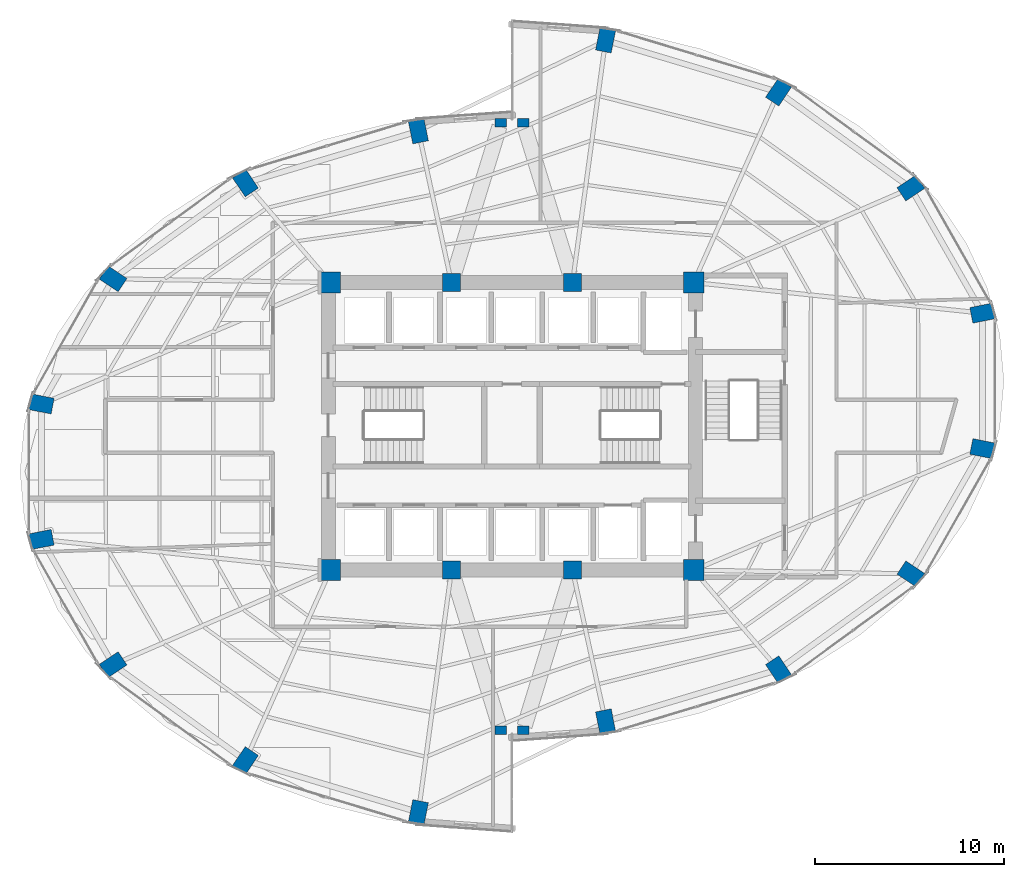
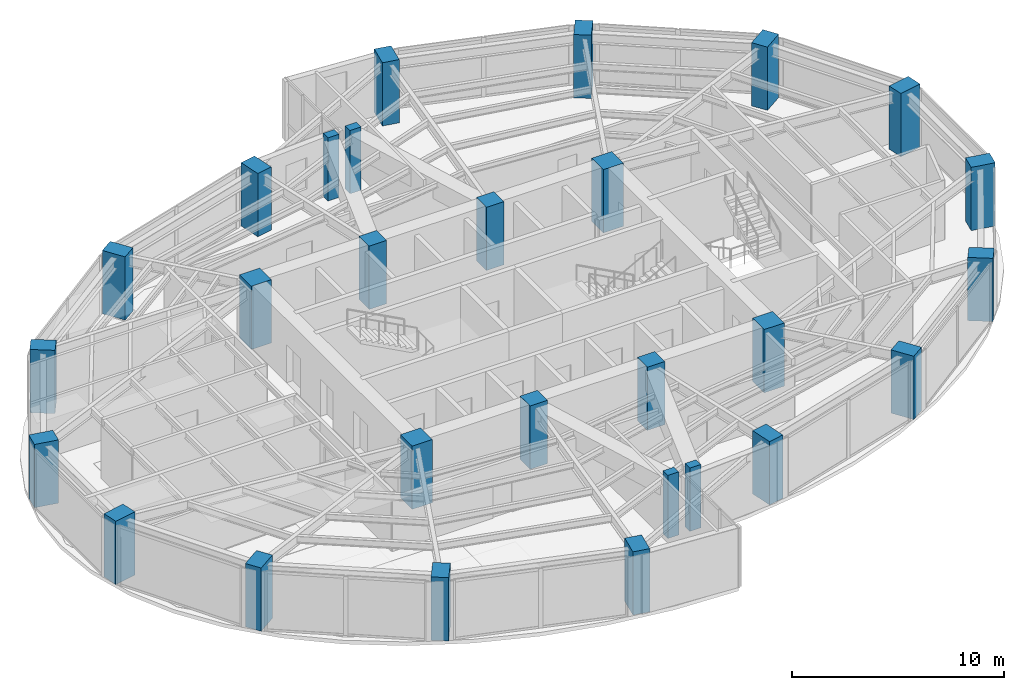
# One storey, part 1 of 24: 28 columns.
"""IFC4 building model written with IfcOpenShell, lengths in metres."""

import ifcopenshell
import ifcopenshell.guid

model = None  # the IFC model being written
_history = None  # IfcOwnerHistory: only IFC2X3 demands one
_inside = {}  # id of a spatial element -> (the spatial element, [elements in it])
_under = {}  # id of a project, library or spatial element -> (it, [spatial elements below it])
_declared = {}  # id of a project -> (the project, [libraries it declares])
_typed = {}  # id of a type object -> (the type object, [elements of that type])
_made_of = {}  # id of a material, layer set ... -> (it, [elements and type objects made of it])


def new_model(schema):
    """Start an empty IFC model of exactly this schema.

    Asked for "IFC4X3", IfcOpenShell would pick the latest addendum, in which some entities
    have other attributes; the version numbers below select the first issue.
    IFC2X3 requires an IfcOwnerHistory on every rooted entity: one is made here for all.
    """
    global model, _history
    if schema == "IFC4X3":
        model = ifcopenshell.file(schema_version=(4, 3, 0, 0))
    else:
        model = ifcopenshell.file(schema=schema)
    _inside.clear()
    _under.clear()
    _declared.clear()
    _typed.clear()
    _made_of.clear()
    _history = None
    if model.schema == "IFC2X3":
        org = make("IfcOrganization", Name="unknown")
        user = make(
            "IfcPersonAndOrganization",
            ThePerson=make("IfcPerson", FamilyName="unknown"),
            TheOrganization=org,
        )
        app = make(
            "IfcApplication",
            ApplicationDeveloper=org,
            Version="unknown",
            ApplicationFullName="unknown",
            ApplicationIdentifier="unknown",
        )
        _history = make(
            "IfcOwnerHistory",
            OwningUser=user,
            OwningApplication=app,
            ChangeAction="ADDED",
            CreationDate=0,
        )
    return model


def make(cls, **values):
    """One entity of the class cls with the attributes given. An attribute that is None is left unset."""
    return model.create_entity(
        cls, **{name: value for name, value in values.items() if value is not None}
    )


def rooted(cls, **values):
    """An entity with a GlobalId (a new one), such as an element, a storey or a relation."""
    return make(cls, GlobalId=ifcopenshell.guid.new(), OwnerHistory=_history, **values)


def si_unit(unit_type, name, prefix=None):
    """IfcSIUnit, for example si_unit("LENGTHUNIT", "METRE", prefix="MILLI")."""
    return make("IfcSIUnit", UnitType=unit_type, Prefix=prefix, Name=name)


def assignment(units):
    """IfcUnitAssignment: the units of a project."""
    return None if units is None else make("IfcUnitAssignment", Units=units)


def point(xyz):
    """IfcCartesianPoint."""
    return None if xyz is None else make("IfcCartesianPoint", Coordinates=xyz)


def direction(xyz):
    """IfcDirection."""
    return None if xyz is None else make("IfcDirection", DirectionRatios=xyz)


def frame(location, z_axis=None, x_axis=None):
    """IfcAxis2Placement3D, a coordinate frame: its origin and axes. An axis left out is left unset."""
    return make(
        "IfcAxis2Placement3D",
        Location=point(location),
        Axis=direction(z_axis),
        RefDirection=direction(x_axis),
    )


def frame_2d(location, x_axis=None):
    """IfcAxis2Placement2D, a coordinate frame in the plane: its origin and x axis."""
    return make(
        "IfcAxis2Placement2D", Location=point(location), RefDirection=direction(x_axis)
    )


def origin():
    """The frame at (0, 0, 0) with its axes left unset."""
    return frame((0.0, 0.0, 0.0))


def origin_2d():
    """The frame at (0, 0) in the plane with its x axis left unset."""
    return frame_2d((0.0, 0.0))


def place(relative_to, where):
    """IfcLocalPlacement: puts the frame where relative to a parent placement (None: the world)."""
    return make(
        "IfcLocalPlacement", PlacementRelTo=relative_to, RelativePlacement=where
    )


def context(
    kind, dimensions, precision=None, world=None, true_north=None, identifier=None
):
    """IfcGeometricRepresentationContext, for example the 3D "Model" context."""
    return make(
        "IfcGeometricRepresentationContext",
        ContextIdentifier=identifier,
        ContextType=kind,
        CoordinateSpaceDimension=dimensions,
        Precision=precision,
        WorldCoordinateSystem=world,
        TrueNorth=true_north,
    )


def subcontext(parent, identifier, kind, view, scale=None):
    """IfcGeometricRepresentationSubContext, for example "Body" below "Model"."""
    return make(
        "IfcGeometricRepresentationSubContext",
        ContextIdentifier=identifier,
        ContextType=kind,
        ParentContext=parent,
        TargetScale=scale,
        TargetView=view,
    )


def project(units=None, contexts=None):
    """IfcProject with its units and contexts."""
    return rooted(
        "IfcProject",
        Name="project",
        RepresentationContexts=contexts,
        UnitsInContext=assignment(units),
    )


def spatial(cls, under=None, at=None, **own):
    """A site, building, storey or space (cls), placed at a placement, below another one or the project."""
    s = rooted(cls, ObjectPlacement=at, **own)
    if under is not None:
        _under.setdefault(under.id(), (under, []))[1].append(s)
    return s


def profile(cls, at=None, kind="AREA", **sizes):
    """A parametric profile (cls). Its sizes go by their IFC names, for example OverallWidth=200.0."""
    return make(cls, ProfileType=kind, Position=at, **sizes)


def rectangle(**sizes):
    """IfcRectangleProfileDef."""
    return profile("IfcRectangleProfileDef", **sizes)


def extrude(swept, where, along, depth):
    """IfcExtrudedAreaSolid: the profile swept, set in the frame where, extruded along a direction by depth."""
    return make(
        "IfcExtrudedAreaSolid",
        SweptArea=swept,
        Position=where,
        ExtrudedDirection=direction(along),
        Depth=depth,
    )


def shape(context_of_items, identifier, shape_type, items):
    """IfcShapeRepresentation: the items that make up one representation, for example the "Body"."""
    return make(
        "IfcShapeRepresentation",
        ContextOfItems=context_of_items,
        RepresentationIdentifier=identifier,
        RepresentationType=shape_type,
        Items=items,
    )


def material(Name=None, Category=None):
    """IfcMaterial."""
    return make("IfcMaterial", Name=Name, Category=Category)


def material_profile(
    of_material, cross_section, Name=None, Category=None, Priority=None
):
    """IfcMaterialProfile: a cross section and its material."""
    return make(
        "IfcMaterialProfile",
        Name=Name,
        Material=of_material,
        Profile=cross_section,
        Priority=Priority,
        Category=Category,
    )


def profile_set(profiles, Name=None, composite=None):
    """IfcMaterialProfileSet."""
    return make(
        "IfcMaterialProfileSet",
        Name=Name,
        MaterialProfiles=profiles,
        CompositeProfile=composite,
    )


def made_of(thing, what):
    """Note that an element or type object is made of a material, layer set ...; save() writes the relation."""
    if what is not None:
        _made_of.setdefault(what.id(), (what, []))[1].append(thing)
    return thing


def type_object(cls, material=None, **own):
    """A type object (cls), such as IfcWallType, which elements share."""
    return made_of(rooted(cls, **own), material)


def element(
    cls,
    number,
    at=None,
    inside=None,
    cuts=None,
    type_object=None,
    material=None,
    context=None,
    identifier="Body",
    shape_type=None,
    held_by="IfcProductDefinitionShape",
    body=None,
    shapes=None,
    **own,
):
    """One element of the class cls, such as IfcWall. Its Tag is "e" and its number.

    at: its placement. inside: the storey or other place that contains it. cuts: it is an
    opening in that element (IfcRelVoidsElement). A single representation is given by context,
    identifier, shape_type and body (its items); several are given by shapes. held_by: the class
    of the entity that holds the representations. save() writes the other relations.
    """
    e = rooted(cls, Tag="e%d" % number, ObjectPlacement=at, **own)
    if body is not None:
        shapes = [shape(context, identifier, shape_type, body)]
    if shapes is not None:
        e.Representation = make(held_by, Representations=shapes)
    if inside is not None:
        _inside.setdefault(inside.id(), (inside, []))[1].append(e)
    if cuts is not None:
        rooted(
            "IfcRelVoidsElement", RelatingBuildingElement=cuts, RelatedOpeningElement=e
        )
    if type_object is not None:
        _typed.setdefault(type_object.id(), (type_object, []))[1].append(e)
    return made_of(e, material)


def aggregate(whole, parts):
    """IfcRelAggregates: a whole, such as a stair, and the parts it consists of."""
    return rooted("IfcRelAggregates", RelatingObject=whole, RelatedObjects=parts)


def save(model, path):
    """Write the relations noted so far, then the file.

    IfcRelAggregates (storeys below a building ...), IfcRelContainedInSpatialStructure (elements
    in a storey), IfcRelDefinesByType, IfcRelAssociatesMaterial and IfcRelDeclares: one each for
    every whole, place, type object, material and project.
    """
    for whole, parts in _under.values():
        aggregate(whole, parts)
    for where, things in _inside.values():
        rooted(
            "IfcRelContainedInSpatialStructure",
            RelatedElements=things,
            RelatingStructure=where,
        )
    for kind, things in _typed.values():
        rooted("IfcRelDefinesByType", RelatedObjects=things, RelatingType=kind)
    for what, things in _made_of.values():
        rooted("IfcRelAssociatesMaterial", RelatedObjects=things, RelatingMaterial=what)
    for by, libraries in _declared.values():
        rooted("IfcRelDeclares", RelatingContext=by, RelatedDefinitions=libraries)
    model.write(path)


model = new_model("IFC4")

# Units and contexts
model_context = context("Model", 3, precision=1e-05, world=origin(), true_north=direction((0.0, 1.0)))
body_context = subcontext(model_context, "Body", "Model", "MODEL_VIEW")
ifc_project = project(units=[si_unit("LENGTHUNIT", "METRE"), si_unit("AREAUNIT", "SQUARE_METRE"), si_unit("VOLUMEUNIT", "CUBIC_METRE"), si_unit("PLANEANGLEUNIT", "RADIAN"), si_unit("MASSUNIT", "GRAM", prefix="KILO")], contexts=[model_context])

# Site, building, storey
site_placement = place(None, origin())
site = spatial("IfcSite", under=ifc_project, at=site_placement, CompositionType="ELEMENT")
building_placement = place(site_placement, origin())
building = spatial("IfcBuilding", under=site, at=building_placement, Name="Lazwardi Medical Tower", CompositionType="ELEMENT")
storey_placement = place(building_placement, frame((0.0, 0.0, 99.98388671875)))
storey = spatial("IfcBuildingStorey", under=building, at=storey_placement, Name="L25", CompositionType="ELEMENT", Elevation=99.98388671875)

# Columns
ifc_material_1 = material(Name="Concrete C80/95", Category="concrete")
ifc_material_profile_1 = material_profile(ifc_material_1, rectangle(XDim=1.10009765625, YDim=1.10009765625, at=origin_2d()), Name="RC 1100x1100")
ifc_profile_set_1 = profile_set([ifc_material_profile_1], Name="Concrete C80/95")
column_type_1 = type_object("IfcColumnType", Name="COL-CC-L", PredefinedType="COLUMN", material=ifc_profile_set_1)
for number, where, z_axis, x_axis, name in (
    (1, (26.39990234375, 20.39990234375, 0.0), (0.0, 0.0, 1.0), (1.0, 0.0, 0.0), "Core column CC-01 CC1 L25"),
    (2, (45.60009765625, 20.39990234375, 0.0), (0.0, 0.0, 1.0), (1.0, 0.0, 0.0), "Core column CC-01 CC4 L25"),
    (3, (45.60009765625, 35.60009765625, 0.0), (0.0, 0.0, 1.0), (1.0, 0.0, 0.0), "Core column CC-01 CC5 L25"),
    (4, (26.39990234375, 35.60009765625, 0.0), (0.0, 0.0, 1.0), (1.0, 0.0, 0.0), "Core column CC-01 CC8 L25"),
):
    element("IfcColumn", number, at=place(storey_placement, frame(where, z_axis=z_axis, x_axis=x_axis)), inside=storey, type_object=column_type_1, Name=name, PredefinedType="COLUMN", context=body_context, shape_type="SweptSolid", body=[
        extrude(rectangle(XDim=1.10009765625, YDim=1.10009765625, at=origin_2d()), origin(), (0.0, 0.0, 1.0), 3.648193359375),
    ])
ifc_material_2 = material(Name="Concrete C70/85", Category="concrete")
ifc_material_profile_2 = material_profile(ifc_material_2, rectangle(XDim=0.949951171875, YDim=0.949951171875, at=origin_2d()), Name="RC 950x950")
ifc_profile_set_2 = profile_set([ifc_material_profile_2], Name="Concrete C70/85")
column_type_2 = type_object("IfcColumnType", Name="COL-CC-M", PredefinedType="COLUMN", material=ifc_profile_set_2)
for number, where, z_axis, x_axis, name in (
    (5, (32.800048828125, 20.39990234375, 0.0), (0.0, 0.0, 1.0), (1.0, 0.0, 0.0), "Core column CC-02 CC2 L25"),
    (6, (39.199951171875, 20.39990234375, 0.0), (0.0, 0.0, 1.0), (1.0, 0.0, 0.0), "Core column CC-02 CC3 L25"),
    (7, (39.199951171875, 35.60009765625, 0.0), (0.0, 0.0, 1.0), (1.0, 0.0, 0.0), "Core column CC-02 CC6 L25"),
    (8, (32.800048828125, 35.60009765625, 0.0), (0.0, 0.0, 1.0), (1.0, 0.0, 0.0), "Core column CC-02 CC7 L25"),
):
    element("IfcColumn", number, at=place(storey_placement, frame(where, z_axis=z_axis, x_axis=x_axis)), inside=storey, type_object=column_type_2, Name=name, PredefinedType="COLUMN", context=body_context, shape_type="SweptSolid", body=[
        extrude(rectangle(XDim=0.949951171875, YDim=0.949951171875, at=origin_2d()), origin(), (0.0, 0.0, 1.0), 3.648193359375),
    ])
ifc_material_profile_3 = material_profile(ifc_material_2, rectangle(XDim=1.199951171875, YDim=0.840087890625, at=origin_2d()), Name="CFT-RECT 1200x840")
ifc_profile_set_3 = profile_set([ifc_material_profile_3], Name="Concrete C70/85")
column_type_3 = type_object("IfcColumnType", Name="COL-MC-Z2", PredefinedType="COLUMN", material=ifc_profile_set_3)
for number, where, z_axis, x_axis, name in (
    (9, (40.945556640625, 12.402587890625, 0.0), (0.0, 0.0, 1.0), (0.195090322016, -0.980785280403, 0.0), "Mega column MC-04 M01 L25"),
    (10, (50.083740234375, 15.142578125, 0.0), (0.0, 0.0, 1.0), (0.55557023302, -0.831469612303, 0.0), "Mega column MC-04 M02 L25"),
    (11, (57.077880859375, 20.205322265625, 0.0), (0.0, 0.0, 1.0), (0.831469612303, -0.55557023302, 0.0), "Mega column MC-04 M03 L25"),
    (12, (60.86279296875, 26.820068359375, 0.0), (0.0, 0.0, 1.0), (0.980785280403, -0.195090322016, 0.0), "Mega column MC-04 M04 L25"),
    (13, (60.86279296875, 33.97998046875, 0.0), (0.0, 0.0, 1.0), (0.980785280403, 0.195090322016, 0.0), "Mega column MC-04 M05 L25"),
    (14, (57.077880859375, 40.5947265625, 0.0), (0.0, 0.0, 1.0), (0.831469612303, 0.55557023302, 0.0), "Mega column MC-04 M06 L25"),
    (15, (50.083740234375, 45.657470703125, 0.0), (0.0, 0.0, 1.0), (0.55557023302, 0.831469612303, 0.0), "Mega column MC-04 M07 L25"),
    (16, (40.945556640625, 48.3974609375, 0.0), (0.0, 0.0, 1.0), (0.195090322016, 0.980785280403, 0.0), "Mega column MC-04 M08 L25"),
    (17, (31.054443359375, 43.597412109375, 0.0), (0.0, 0.0, 1.0), (-0.195090322016, 0.980785280403, 0.0), "Mega column MC-04 M09 L25"),
    (18, (21.916259765625, 40.857421875, 0.0), (0.0, 0.0, 1.0), (-0.55557023302, 0.831469612303, 0.0), "Mega column MC-04 M10 L25"),
    (19, (14.922119140625, 35.794677734375, 0.0), (0.0, 0.0, 1.0), (-0.831469612303, 0.55557023302, 0.0), "Mega column MC-04 M11 L25"),
    (20, (11.13720703125, 29.179931640625, 0.0), (0.0, 0.0, 1.0), (-0.980785280403, 0.195090322016, 0.0), "Mega column MC-04 M12 L25"),
    (21, (11.13720703125, 22.02001953125, 0.0), (0.0, 0.0, 1.0), (-0.980785280403, -0.195090322016, 0.0), "Mega column MC-04 M13 L25"),
    (22, (14.922119140625, 15.4052734375, 0.0), (0.0, 0.0, 1.0), (-0.831469612303, -0.55557023302, 0.0), "Mega column MC-04 M14 L25"),
    (23, (21.916259765625, 10.342529296875, 0.0), (0.0, 0.0, 1.0), (-0.55557023302, -0.831469612303, 0.0), "Mega column MC-04 M15 L25"),
    (24, (31.054443359375, 7.6025390625, 0.0), (0.0, 0.0, 1.0), (-0.195090322016, -0.980785280403, 0.0), "Mega column MC-04 M16 L25"),
):
    element("IfcColumn", number, at=place(storey_placement, frame(where, z_axis=z_axis, x_axis=x_axis)), inside=storey, type_object=column_type_3, Name=name, PredefinedType="COLUMN", context=body_context, shape_type="SweptSolid", body=[
        extrude(rectangle(XDim=1.199951171875, YDim=0.840087890625, at=origin_2d()), origin(), (0.0, 0.0, 1.0), 3.648193359375),
    ])
ifc_material_3 = material(Name="Concrete C60/75", Category="concrete")
ifc_material_profile_4 = material_profile(ifc_material_3, rectangle(XDim=0.60009765625, YDim=0.449951171875, at=origin_2d()), Name="RC 600x450")
ifc_profile_set_4 = profile_set([ifc_material_profile_4], Name="Concrete C60/75")
column_type_4 = type_object("IfcColumnType", Name="COL-PL-IW", PredefinedType="PILASTER", material=ifc_profile_set_4)
for number, where, z_axis, x_axis, name in (
    (25, (35.39990234375, 44.050048828125, 0.0), (0.0, 0.0, 1.0), (1.0, 0.0, 0.0), "Iwan pilaster column PL-C1 PL1 L25"),
    (26, (36.60009765625, 44.050048828125, 0.0), (0.0, 0.0, 1.0), (1.0, 0.0, 0.0), "Iwan pilaster column PL-C1 PL2 L25"),
    (27, (35.39990234375, 11.949951171875, 0.0), (0.0, 0.0, 1.0), (1.0, 0.0, 0.0), "Iwan pilaster column PL-C1 PL3 L25"),
    (28, (36.60009765625, 11.949951171875, 0.0), (0.0, 0.0, 1.0), (1.0, 0.0, 0.0), "Iwan pilaster column PL-C1 PL4 L25"),
):
    element("IfcColumn", number, at=place(storey_placement, frame(where, z_axis=z_axis, x_axis=x_axis)), inside=storey, type_object=column_type_4, Name=name, PredefinedType="PILASTER", context=body_context, shape_type="SweptSolid", body=[
        extrude(rectangle(XDim=0.60009765625, YDim=0.449951171875, at=origin_2d()), origin(), (0.0, 0.0, 1.0), 3.648193359375),
    ])

save(model, "model.ifc")
